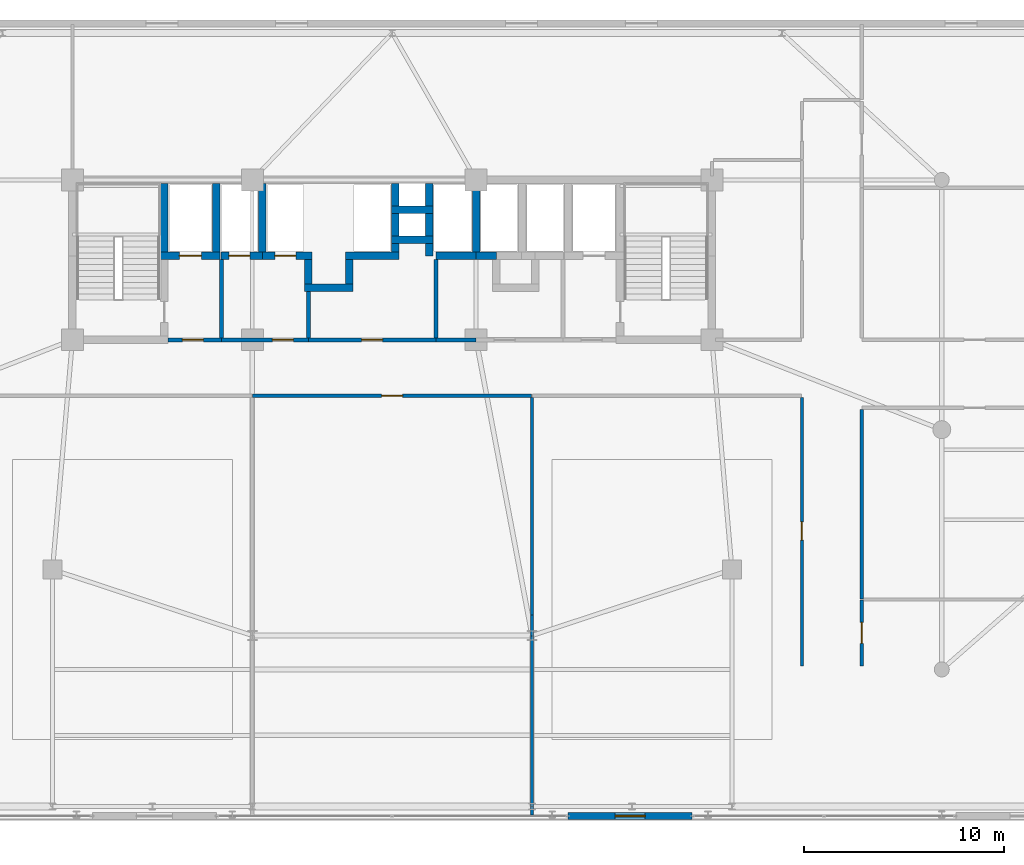
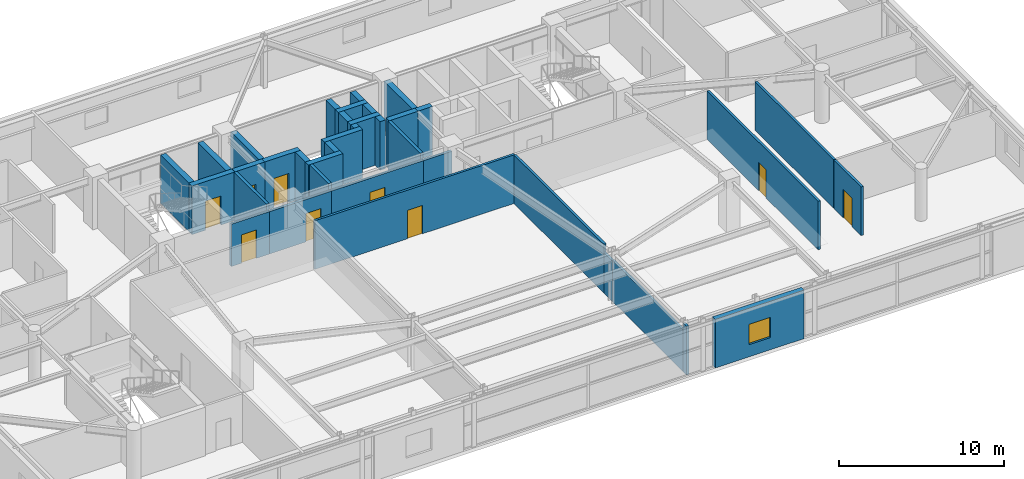
# One storey, part 21 of 26: 37 walls, 9 doors, 1 window, 10 openings.
"""IFC4 building model written with IfcOpenShell, lengths in metres."""

from ifc_helpers import new_model, si_unit, direction, frame, frame_2d, origin, place, context, subcontext, project, spatial, rectangle, extrude, source, transform, mapped, material, layer, layer_set, type_object, element, fill, save


model = new_model("IFC4")

# Units and contexts
model_context = context("Model", 3, precision=1e-05, world=origin(), true_north=direction((0.0, 1.0)))
body_context = subcontext(model_context, "Body", "Model", "MODEL_VIEW")
ifc_project = project(units=[si_unit("LENGTHUNIT", "METRE"), si_unit("AREAUNIT", "SQUARE_METRE"), si_unit("VOLUMEUNIT", "CUBIC_METRE"), si_unit("PLANEANGLEUNIT", "RADIAN"), si_unit("MASSUNIT", "GRAM", prefix="KILO")], contexts=[model_context])

# Site, building, storey
site_placement = place(None, origin())
site = spatial("IfcSite", under=ifc_project, at=site_placement, CompositionType="ELEMENT")
building_placement = place(site_placement, origin())
building = spatial("IfcBuilding", under=site, at=building_placement, Name="Taldren Reach Tower", CompositionType="ELEMENT")
storey_placement = place(building_placement, frame((0.0, 0.0, 4.550048828125)))
storey = spatial("IfcBuildingStorey", under=building, at=storey_placement, Name="L01", CompositionType="ELEMENT", Elevation=4.550048828125)

# Wall, opening, window
ifc_material_1 = material(Name="Pale Champagne Anodised Aluminium Cladding", Category="aluminium")
ifc_layer_1 = layer(ifc_material_1, 0.04, Name="Pale Champagne Anodised Aluminium Cladding", Category="aluminium")
ifc_material_2 = material(Name="Mineral Wool Thermal Insulation", Category="insulation")
ifc_layer_2 = layer(ifc_material_2, 0.08, Name="Mineral Wool Thermal Insulation", Category="insulation")
ifc_material_3 = material(Name="Concrete S50 (50 MPa)", Category="concrete")
ifc_layer_3 = layer(ifc_material_3, 0.22, Name="Concrete S50 (50 MPa)", Category="concrete")
ifc_layer_set_1 = layer_set([ifc_layer_1, ifc_layer_2, ifc_layer_3], Name="Pale Champagne Aluminium Cladding and Precast Concrete 50 MPa (S50)")
wall_type_1 = type_object("IfcWallType", Name="EW-POD-340", PredefinedType="SOLIDWALL", material=ifc_layer_set_1)
shared_shape_1 = source(origin(), body_context, "Body", "SweptSolid", [
    extrude(rectangle(XDim=6.199951171875, YDim=0.340087890625, at=frame_2d((3.10009765625, 0.0))), origin(), (0.0, 0.0, 1.0), 3.58984375),
])
wall_1_placement = place(storey_placement, frame((43.800048828125, 0.169921875, 0.0), z_axis=(0.0, 0.0, 1.0), x_axis=(1.0, 0.0, 0.0)))
wall_1 = element("IfcWall", 1, at=wall_1_placement, inside=storey, type_object=wall_type_1, Name="Podium south facade wall L01-S3", PredefinedType="SOLIDWALL", context=body_context, shape_type="MappedRepresentation", body=[
    mapped(shared_shape_1, transform((0.0, 0.0, 0.0), scale=1.0)),
])
shared_shape_2 = source(origin(), body_context, "Body", "SweptSolid", [
    extrude(rectangle(XDim=1.5, YDim=1.5, at=frame_2d((0.75, 0.75))), frame((0.0, 0.18017578125, 0.0), z_axis=(0.0, -1.0, 0.0), x_axis=(1.0, 0.0, 0.0)), (0.0, 0.0, 1.0), 0.360107421875),
])
opening_1_placement = place(wall_1_placement, frame((2.35009765625, 0.0, 0.89990234375)))
opening_1 = element("IfcOpeningElement", 2, at=opening_1_placement, cuts=wall_1, Name="Opening W-1515", PredefinedType="OPENING", context=body_context, shape_type="MappedRepresentation", body=[
    mapped(shared_shape_2, transform((0.0, 0.0, 0.0), scale=1.0)),
])
ifc_material_4 = material(Name="Thermally Broken Aluminium and Low-E IGU", Category="aluminium")
window_type = type_object("IfcWindowType", Name="WN-POD-1500", PartitioningType="SINGLE_PANEL", PredefinedType="WINDOW", material=ifc_material_4)
shared_shape_3 = source(origin(), body_context, "Body", "SweptSolid", [
    extrude(rectangle(XDim=1.5, YDim=1.5, at=frame_2d((0.75, 0.75))), frame((0.0, 0.030029296875, 0.0), z_axis=(0.0, -1.0, 0.0), x_axis=(1.0, 0.0, 0.0)), (0.0, 0.0, 1.0), 0.06005859375),
])
window_placement = place(opening_1_placement, origin())
window = element("IfcWindow", 3, at=window_placement, inside=storey, type_object=window_type, Name="Podium clinical window L01-S3", OverallHeight=1.5, OverallWidth=1.5, PartitioningType="SINGLE_PANEL", PredefinedType="WINDOW", context=body_context, shape_type="MappedRepresentation", body=[
    mapped(shared_shape_3, transform((0.0, 0.0, 0.0), scale=1.0)),
])
fill(opening_1, window)

# Walls
ifc_material_5 = material(Name="Concrete S80 (80 MPa)", Category="concrete")
ifc_layer_4 = layer(ifc_material_5, 0.3798828125)
ifc_layer_set_2 = layer_set([ifc_layer_4], Name="Concrete S80 (80 MPa)")
wall_type_2 = type_object("IfcWallType", Name="IW-CORE-380", PredefinedType="SHEAR", material=ifc_layer_set_2)
shared_shape_4 = source(origin(), body_context, "Body", "SweptSolid", [
    extrude(rectangle(XDim=3.420166015625, YDim=0.3798828125, at=frame_2d((1.7099609375, 0.0))), origin(), (0.0, 0.0, 1.0), 3.58984375),
])
for number, where, z_axis, x_axis, name in (
    (4, (23.60009765625, 28.389892578125, 0.0), (0.0, 0.0, 1.0), (0.0, 1.0, 0.0), "Rear Core Shear Wall W-INT-L01-001"),
    (5, (26.199951171875, 28.389892578125, 0.0), (0.0, 0.0, 1.0), (0.0, 1.0, 0.0), "Rear Core Shear Wall W-INT-L01-005"),
    (6, (28.5, 28.389892578125, 0.0), (0.0, 0.0, 1.0), (0.0, 1.0, 0.0), "Rear Core Shear Wall W-INT-L01-029"),
    (7, (39.199951171875, 28.389892578125, 0.0), (0.0, 0.0, 1.0), (0.0, 1.0, 0.0), "Rear Core Shear Wall W-INT-L01-036"),
):
    element("IfcWall", number, at=place(storey_placement, frame(where, z_axis=z_axis, x_axis=x_axis)), inside=storey, type_object=wall_type_2, Name=name, PredefinedType="SHEAR", context=body_context, shape_type="MappedRepresentation", body=[
        mapped(shared_shape_4, transform((0.0, 0.0, 0.0), scale=1.0)),
    ])

# Wall, opening, door
shared_shape_5 = source(origin(), body_context, "Body", "SweptSolid", [
    extrude(rectangle(XDim=2.97998046875, YDim=0.3798828125, at=frame_2d((1.489990234375, 0.0))), origin(), (0.0, 0.0, 1.0), 3.58984375),
])
wall_2_placement = place(storey_placement, frame((23.409912109375, 28.199951171875, 0.0), z_axis=(0.0, 0.0, 1.0), x_axis=(1.0, 0.0, 0.0)))
wall_2 = element("IfcWall", 8, at=wall_2_placement, inside=storey, type_object=wall_type_2, Name="Rear Core Shear Wall W-INT-L01-004", PredefinedType="SHEAR", context=body_context, shape_type="MappedRepresentation", body=[
    mapped(shared_shape_5, transform((0.0, 0.0, 0.0), scale=1.0)),
])
shared_shape_6 = source(origin(), body_context, "Body", "SweptSolid", [
    extrude(rectangle(XDim=1.10009765625, YDim=2.14990234375, at=frame_2d((0.550048828125, 1.074951171875))), frame((0.0, 0.199951171875, 0.0), z_axis=(0.0, -1.0, 0.0), x_axis=(1.0, 0.0, 0.0)), (0.0, 0.0, 1.0), 0.39990234375),
])
opening_2_placement = place(wall_2_placement, frame((0.93994140625, 0.0, 0.0)))
opening_2 = element("IfcOpeningElement", 9, at=opening_2_placement, cuts=wall_2, Name="Opening LD-FL1", PredefinedType="OPENING", context=body_context, shape_type="MappedRepresentation", body=[
    mapped(shared_shape_6, transform((0.0, 0.0, 0.0), scale=1.0)),
])
ifc_material_6 = material(Name="Stainless Steel Gr 316 Emergency Lift Landing Door", Category="steel")
door_type_1 = type_object("IfcDoorType", Name="LD-EMG-110", OperationType="SLIDING_TO_LEFT", PredefinedType="DOOR", material=ifc_material_6)
shared_shape_7 = source(origin(), body_context, "Body", "SweptSolid", [
    extrude(rectangle(XDim=1.10009765625, YDim=2.14990234375, at=frame_2d((0.550048828125, 1.074951171875))), frame((0.0, 0.02490234375, 0.0), z_axis=(0.0, -1.0, 0.0), x_axis=(1.0, 0.0, 0.0)), (0.0, 0.0, 1.0), 0.050048828125),
])
door_1_placement = place(opening_2_placement, origin())
door_1 = element("IfcDoor", 10, at=door_1_placement, inside=storey, type_object=door_type_1, Name="Lift Landing Door LD-FL1-L01", OperationType="SLIDING_TO_LEFT", OverallHeight=2.14990234375, OverallWidth=1.10009765625, PredefinedType="DOOR", context=body_context, shape_type="MappedRepresentation", body=[
    mapped(shared_shape_7, transform((0.0, 0.0, 0.0), scale=1.0)),
])
fill(opening_2, door_1)

# Walls
ifc_layer_5 = layer(ifc_material_3, 0.199951171875)
ifc_layer_set_3 = layer_set([ifc_layer_5], Name="Concrete S50 (50 MPa)")
wall_type_3 = type_object("IfcWallType", Name="IW-CORE-200", PredefinedType="SOLIDWALL", material=ifc_layer_set_3)
shared_shape_8 = source(origin(), body_context, "Body", "SweptSolid", [
    extrude(rectangle(XDim=3.909912109375, YDim=0.199951171875, at=frame_2d((1.955078125, 0.0))), origin(), (0.0, 0.0, 1.0), 3.58984375),
])
for number, where, z_axis, x_axis, name in (
    (11, (26.449951171875, 24.10009765625, 0.0), (0.0, 0.0, 1.0), (0.0, 1.0, 0.0), "Rear Core Shear Wall W-INT-L01-006"),
    (12, (37.199951171875, 28.010009765625, 0.0), (0.0, 0.0, 1.0), (0.0, -1.0, 0.0), "Rear Core Shear Wall W-INT-L01-042"),
):
    element("IfcWall", number, at=place(storey_placement, frame(where, z_axis=z_axis, x_axis=x_axis)), inside=storey, type_object=wall_type_3, Name=name, PredefinedType="SOLIDWALL", context=body_context, shape_type="MappedRepresentation", body=[
        mapped(shared_shape_8, transform((0.0, 0.0, 0.0), scale=1.0)),
    ])

# Wall, opening, door
shared_shape_9 = source(origin(), body_context, "Body", "SweptSolid", [
    extrude(rectangle(XDim=2.659912109375, YDim=0.199951171875, at=frame_2d((1.330078125, 0.0))), origin(), (0.0, 0.0, 1.0), 3.1298828125),
])
wall_3_placement = place(storey_placement, frame((23.7900390625, 24.0, 0.0), z_axis=(0.0, 0.0, 1.0), x_axis=(1.0, 0.0, 0.0)))
wall_3 = element("IfcWall", 13, at=wall_3_placement, inside=storey, type_object=wall_type_3, Name="Rear Core Shear Wall W-INT-L01-007", PredefinedType="SOLIDWALL", context=body_context, shape_type="MappedRepresentation", body=[
    mapped(shared_shape_9, transform((0.0, 0.0, 0.0), scale=1.0)),
])
shared_shape_10 = source(origin(), body_context, "Body", "SweptSolid", [
    extrude(rectangle(XDim=1.050048828125, YDim=2.10009765625, at=frame_2d((0.52490234375, 1.050048828125))), frame((0.0, 0.10986328125, 0.0), z_axis=(0.0, -1.0, 0.0), x_axis=(1.0, 0.0, 0.0)), (0.0, 0.0, 1.0), 0.219970703125),
])
opening_3_placement = place(wall_3_placement, frame((0.7099609375, 0.0, 0.0)))
opening_3 = element("IfcOpeningElement", 14, at=opening_3_placement, cuts=wall_3, Name="Opening DF-105", PredefinedType="OPENING", context=body_context, shape_type="MappedRepresentation", body=[
    mapped(shared_shape_10, transform((0.0, 0.0, 0.0), scale=1.0)),
])
ifc_material_7 = material(Name="Fire-Rated Care and Stair Exit Door")
door_type_2 = type_object("IfcDoorType", Name="ID-FIRE-105", OperationType="NOTDEFINED", PredefinedType="DOOR", material=ifc_material_7)
shared_shape_11 = source(origin(), body_context, "Body", "SweptSolid", [
    extrude(rectangle(XDim=1.050048828125, YDim=2.10009765625, at=frame_2d((0.52490234375, 1.050048828125))), frame((0.0, 0.02490234375, 0.0), z_axis=(0.0, -1.0, 0.0), x_axis=(1.0, 0.0, 0.0)), (0.0, 0.0, 1.0), 0.050048828125),
])
door_2_placement = place(opening_3_placement, origin())
door_2 = element("IfcDoor", 15, at=door_2_placement, inside=storey, type_object=door_type_2, Name="Interior Door DR-L01-002", OperationType="SINGLE_SWING_LEFT", OverallHeight=2.10009765625, OverallWidth=1.050048828125, PredefinedType="DOOR", context=body_context, shape_type="MappedRepresentation", body=[
    mapped(shared_shape_11, transform((0.0, 0.0, 0.0), scale=1.0)),
])
fill(opening_3, door_2)

# Walls
shared_shape_12 = source(origin(), body_context, "Body", "SweptSolid", [
    extrude(rectangle(XDim=2.080078125, YDim=0.3798828125, at=frame_2d((1.0400390625, 0.0))), origin(), (0.0, 0.0, 1.0), 3.58984375),
])
for number, where, z_axis, x_axis, name in (
    (16, (34.9599609375, 30.5, 0.0), (0.0, 0.0, 1.0), (1.0, 0.0, 0.0), "Rear Core Shear Wall W-INT-L01-015"),
    (17, (34.9599609375, 29.0, 0.0), (0.0, 0.0, 1.0), (1.0, 0.0, 0.0), "Rear Core Shear Wall W-INT-L01-020"),
):
    element("IfcWall", number, at=place(storey_placement, frame(where, z_axis=z_axis, x_axis=x_axis)), inside=storey, type_object=wall_type_2, Name=name, PredefinedType="SHEAR", context=body_context, shape_type="MappedRepresentation", body=[
        mapped(shared_shape_12, transform((0.0, 0.0, 0.0), scale=1.0)),
    ])
shared_shape_13 = source(origin(), body_context, "Body", "SweptSolid", [
    extrude(rectangle(XDim=1.1201171875, YDim=0.3798828125, at=frame_2d((0.56005859375, 0.0))), origin(), (0.0, 0.0, 1.0), 3.58984375),
])
for number, where, z_axis, x_axis, name in (
    (18, (35.14990234375, 31.81005859375, 0.0), (0.0, 0.0, 1.0), (0.0, -1.0, 0.0), "Rear Core Shear Wall W-INT-L01-016"),
    (19, (36.85009765625, 30.68994140625, 0.0), (0.0, 0.0, 1.0), (0.0, 1.0, 0.0), "Rear Core Shear Wall W-INT-L01-017"),
    (20, (35.14990234375, 30.31005859375, 0.0), (0.0, 0.0, 1.0), (0.0, -1.0, 0.0), "Rear Core Shear Wall W-INT-L01-018"),
    (21, (36.85009765625, 29.18994140625, 0.0), (0.0, 0.0, 1.0), (0.0, 1.0, 0.0), "Rear Core Shear Wall W-INT-L01-019"),
):
    element("IfcWall", number, at=place(storey_placement, frame(where, z_axis=z_axis, x_axis=x_axis)), inside=storey, type_object=wall_type_2, Name=name, PredefinedType="SHEAR", context=body_context, shape_type="MappedRepresentation", body=[
        mapped(shared_shape_13, transform((0.0, 0.0, 0.0), scale=1.0)),
    ])
shared_shape_14 = source(origin(), body_context, "Body", "SweptSolid", [
    extrude(rectangle(XDim=1.219970703125, YDim=0.3798828125, at=frame_2d((0.60986328125, 0.0))), origin(), (0.0, 0.0, 1.0), 3.58984375),
])
for number, where, z_axis, x_axis, name in (
    (22, (30.800048828125, 28.010009765625, 0.0), (0.0, 0.0, 1.0), (0.0, -1.0, 0.0), "Rear Core Shear Wall W-INT-L01-021"),
    (23, (32.85009765625, 26.7900390625, 0.0), (0.0, 0.0, 1.0), (0.0, 1.0, 0.0), "Rear Core Shear Wall W-INT-L01-023"),
):
    element("IfcWall", number, at=place(storey_placement, frame(where, z_axis=z_axis, x_axis=x_axis)), inside=storey, type_object=wall_type_2, Name=name, PredefinedType="SHEAR", context=body_context, shape_type="MappedRepresentation", body=[
        mapped(shared_shape_14, transform((0.0, 0.0, 0.0), scale=1.0)),
    ])
shared_shape_15 = source(origin(), body_context, "Body", "SweptSolid", [
    extrude(rectangle(XDim=2.429931640625, YDim=0.3798828125, at=frame_2d((1.21484375, 0.0))), origin(), (0.0, 0.0, 1.0), 3.58984375),
])
wall_4_placement = place(storey_placement, frame((30.610107421875, 26.60009765625, 0.0), z_axis=(0.0, 0.0, 1.0), x_axis=(1.0, 0.0, 0.0)))
element("IfcWall", 24, at=wall_4_placement, inside=storey, type_object=wall_type_2, Name="Rear Core Shear Wall W-INT-L01-022", PredefinedType="SHEAR", context=body_context, shape_type="MappedRepresentation", body=[
    mapped(shared_shape_15, transform((0.0, 0.0, 0.0), scale=1.0)),
])

# Wall, opening, door
shared_shape_16 = source(origin(), body_context, "Body", "SweptSolid", [
    extrude(rectangle(XDim=2.070068359375, YDim=0.3798828125, at=frame_2d((1.03515625, 0.0))), origin(), (0.0, 0.0, 1.0), 3.58984375),
])
wall_5_placement = place(storey_placement, frame((26.429931640625, 28.199951171875, 0.0), z_axis=(0.0, 0.0, 1.0), x_axis=(1.0, 0.0, 0.0)))
wall_5 = element("IfcWall", 25, at=wall_5_placement, inside=storey, type_object=wall_type_2, Name="Rear Core Shear Wall W-INT-L01-030", PredefinedType="SHEAR", context=body_context, shape_type="MappedRepresentation", body=[
    mapped(shared_shape_16, transform((0.0, 0.0, 0.0), scale=1.0)),
])
shared_shape_17 = source(origin(), body_context, "Body", "SweptSolid", [
    extrude(rectangle(XDim=1.050048828125, YDim=2.14990234375, at=frame_2d((0.52490234375, 1.074951171875))), frame((0.0, 0.199951171875, 0.0), z_axis=(0.0, -1.0, 0.0), x_axis=(1.0, 0.0, 0.0)), (0.0, 0.0, 1.0), 0.39990234375),
])
opening_4_placement = place(wall_5_placement, frame((0.39501953125, 0.0, 0.0)))
opening_4 = element("IfcOpeningElement", 26, at=opening_4_placement, cuts=wall_5, Name="Opening LD-PL1", PredefinedType="OPENING", context=body_context, shape_type="MappedRepresentation", body=[
    mapped(shared_shape_17, transform((0.0, 0.0, 0.0), scale=1.0)),
])
ifc_material_8 = material(Name="Stainless Steel Gr 316 Passenger Lift Landing Door", Category="steel")
door_type_3 = type_object("IfcDoorType", Name="LD-PAS-105", OperationType="SLIDING_TO_LEFT", PredefinedType="DOOR", material=ifc_material_8)
shared_shape_18 = source(origin(), body_context, "Body", "SweptSolid", [
    extrude(rectangle(XDim=1.050048828125, YDim=2.14990234375, at=frame_2d((0.52490234375, 1.074951171875))), frame((0.0, 0.02490234375, 0.0), z_axis=(0.0, -1.0, 0.0), x_axis=(1.0, 0.0, 0.0)), (0.0, 0.0, 1.0), 0.050048828125),
])
door_3_placement = place(opening_4_placement, origin())
door_3 = element("IfcDoor", 27, at=door_3_placement, inside=storey, type_object=door_type_3, Name="Lift Landing Door LD-PL1-L01", OperationType="SLIDING_TO_LEFT", OverallHeight=2.14990234375, OverallWidth=1.050048828125, PredefinedType="DOOR", context=body_context, shape_type="MappedRepresentation", body=[
    mapped(shared_shape_18, transform((0.0, 0.0, 0.0), scale=1.0)),
])
fill(opening_4, door_3)

shared_shape_19 = source(origin(), body_context, "Body", "SweptSolid", [
    extrude(rectangle(XDim=2.489990234375, YDim=0.3798828125, at=frame_2d((1.2451171875, 0.0))), origin(), (0.0, 0.0, 1.0), 3.58984375),
])
wall_6_placement = place(storey_placement, frame((28.5, 28.199951171875, 0.0), z_axis=(0.0, 0.0, 1.0), x_axis=(1.0, 0.0, 0.0)))
wall_6 = element("IfcWall", 28, at=wall_6_placement, inside=storey, type_object=wall_type_2, Name="Rear Core Shear Wall W-INT-L01-031", PredefinedType="SHEAR", context=body_context, shape_type="MappedRepresentation", body=[
    mapped(shared_shape_19, transform((0.0, 0.0, 0.0), scale=1.0)),
])
opening_5_placement = place(wall_6_placement, frame((0.625, 0.0, 0.0)))
opening_5 = element("IfcOpeningElement", 29, at=opening_5_placement, cuts=wall_6, Name="Opening LD-PL2", PredefinedType="OPENING", context=body_context, shape_type="MappedRepresentation", body=[
    mapped(shared_shape_17, transform((0.0, 0.0, 0.0), scale=1.0)),
])
door_4_placement = place(opening_5_placement, origin())
door_4 = element("IfcDoor", 30, at=door_4_placement, inside=storey, type_object=door_type_3, Name="Lift Landing Door LD-PL2-L01", OperationType="SLIDING_TO_LEFT", OverallHeight=2.14990234375, OverallWidth=1.050048828125, PredefinedType="DOOR", context=body_context, shape_type="MappedRepresentation", body=[
    mapped(shared_shape_18, transform((0.0, 0.0, 0.0), scale=1.0)),
])
fill(opening_5, door_4)

# Wall
shared_shape_20 = source(origin(), body_context, "Body", "SweptSolid", [
    extrude(rectangle(XDim=2.309814453125, YDim=0.199951171875, at=frame_2d((1.15478515625, 0.0))), origin(), (0.0, 0.0, 1.0), 3.58984375),
])
wall_7_placement = place(storey_placement, frame((30.800048828125, 26.409912109375, 0.0), z_axis=(0.0, 0.0, 1.0), x_axis=(0.0, -1.0, 0.0)))
element("IfcWall", 31, at=wall_7_placement, inside=storey, type_object=wall_type_3, Name="Rear Core Shear Wall W-INT-L01-032", PredefinedType="SOLIDWALL", context=body_context, shape_type="MappedRepresentation", body=[
    mapped(shared_shape_20, transform((0.0, 0.0, 0.0), scale=1.0)),
])

# Wall, opening, door
shared_shape_21 = source(origin(), body_context, "Body", "SweptSolid", [
    extrude(rectangle(XDim=4.35009765625, YDim=0.199951171875, at=frame_2d((2.175048828125, 0.0))), origin(), (0.0, 0.0, 1.0), 3.1298828125),
])
wall_8_placement = place(storey_placement, frame((30.800048828125, 24.0, 0.0), z_axis=(0.0, 0.0, 1.0), x_axis=(-1.0, 0.0, 0.0)))
wall_8 = element("IfcWall", 32, at=wall_8_placement, inside=storey, type_object=wall_type_3, Name="Rear Core Shear Wall W-INT-L01-033", PredefinedType="SOLIDWALL", context=body_context, shape_type="MappedRepresentation", body=[
    mapped(shared_shape_21, transform((0.0, 0.0, 0.0), scale=1.0)),
])
opening_6_placement = place(wall_8_placement, frame((0.75, 0.0, 0.0)))
opening_6 = element("IfcOpeningElement", 33, at=opening_6_placement, cuts=wall_8, Name="Opening DF-105", PredefinedType="OPENING", context=body_context, shape_type="MappedRepresentation", body=[
    mapped(shared_shape_10, transform((0.0, 0.0, 0.0), scale=1.0)),
])
door_5_placement = place(opening_6_placement, frame((1.050048828125, 0.0, 0.0), z_axis=(0.0, 0.0, 1.0), x_axis=(-1.0, 0.0, 0.0)))
door_5 = element("IfcDoor", 34, at=door_5_placement, inside=storey, type_object=door_type_2, Name="Interior Door DR-L01-005", OperationType="SINGLE_SWING_RIGHT", OverallHeight=2.10009765625, OverallWidth=1.050048828125, PredefinedType="DOOR", context=body_context, shape_type="MappedRepresentation", body=[
    mapped(shared_shape_11, transform((0.0, 0.0, 0.0), scale=1.0)),
])
fill(opening_6, door_5)

# Walls
shared_shape_22 = source(origin(), body_context, "Body", "SweptSolid", [
    extrude(rectangle(XDim=2.68017578125, YDim=0.3798828125, at=frame_2d((1.340087890625, 0.0))), origin(), (0.0, 0.0, 1.0), 3.58984375),
])
wall_9_placement = place(storey_placement, frame((32.659912109375, 28.199951171875, 0.0), z_axis=(0.0, 0.0, 1.0), x_axis=(1.0, 0.0, 0.0)))
element("IfcWall", 35, at=wall_9_placement, inside=storey, type_object=wall_type_2, Name="Rear Core Shear Wall W-INT-L01-034", PredefinedType="SHEAR", context=body_context, shape_type="MappedRepresentation", body=[
    mapped(shared_shape_22, transform((0.0, 0.0, 0.0), scale=1.0)),
])
shared_shape_23 = source(origin(), body_context, "Body", "SweptSolid", [
    extrude(rectangle(XDim=0.420166015625, YDim=0.3798828125, at=frame_2d((0.2099609375, 0.0))), origin(), (0.0, 0.0, 1.0), 3.58984375),
])
wall_10_placement = place(storey_placement, frame((35.14990234375, 28.389892578125, 0.0), z_axis=(0.0, 0.0, 1.0), x_axis=(0.0, 1.0, 0.0)))
element("IfcWall", 36, at=wall_10_placement, inside=storey, type_object=wall_type_2, Name="Rear Core Shear Wall W-INT-L01-035", PredefinedType="SHEAR", context=body_context, shape_type="MappedRepresentation", body=[
    mapped(shared_shape_23, transform((0.0, 0.0, 0.0), scale=1.0)),
])
shared_shape_24 = source(origin(), body_context, "Body", "SweptSolid", [
    extrude(rectangle(XDim=0.610107421875, YDim=0.3798828125, at=frame_2d((0.30517578125, 0.0))), origin(), (0.0, 0.0, 1.0), 3.58984375),
])
wall_11_placement = place(storey_placement, frame((36.85009765625, 28.81005859375, 0.0), z_axis=(0.0, 0.0, 1.0), x_axis=(0.0, -1.0, 0.0)))
element("IfcWall", 37, at=wall_11_placement, inside=storey, type_object=wall_type_2, Name="Rear Core Shear Wall W-INT-L01-037", PredefinedType="SHEAR", context=body_context, shape_type="MappedRepresentation", body=[
    mapped(shared_shape_24, transform((0.0, 0.0, 0.0), scale=1.0)),
])
shared_shape_25 = source(origin(), body_context, "Body", "SweptSolid", [
    extrude(rectangle(XDim=2.02001953125, YDim=0.3798828125, at=frame_2d((1.010009765625, 0.0))), origin(), (0.0, 0.0, 1.0), 3.58984375),
])
wall_12_placement = place(storey_placement, frame((37.179931640625, 28.199951171875, 0.0), z_axis=(0.0, 0.0, 1.0), x_axis=(1.0, 0.0, 0.0)))
element("IfcWall", 38, at=wall_12_placement, inside=storey, type_object=wall_type_2, Name="Rear Core Shear Wall W-INT-L01-038", PredefinedType="SHEAR", context=body_context, shape_type="MappedRepresentation", body=[
    mapped(shared_shape_25, transform((0.0, 0.0, 0.0), scale=1.0)),
])
shared_shape_26 = source(origin(), body_context, "Body", "SweptSolid", [
    extrude(rectangle(XDim=1.02001953125, YDim=0.3798828125, at=frame_2d((0.510009765625, 0.0))), origin(), (0.0, 0.0, 1.0), 3.58984375),
])
wall_13_placement = place(storey_placement, frame((39.199951171875, 28.199951171875, 0.0), z_axis=(0.0, 0.0, 1.0), x_axis=(1.0, 0.0, 0.0)))
element("IfcWall", 39, at=wall_13_placement, inside=storey, type_object=wall_type_2, Name="Rear Core Shear Wall W-INT-L01-040", PredefinedType="SHEAR", context=body_context, shape_type="MappedRepresentation", body=[
    mapped(shared_shape_26, transform((0.0, 0.0, 0.0), scale=1.0)),
])

# Wall, opening, door
shared_shape_27 = source(origin(), body_context, "Body", "SweptSolid", [
    extrude(rectangle(XDim=6.39990234375, YDim=0.199951171875, at=frame_2d((3.199951171875, 0.0))), origin(), (0.0, 0.0, 1.0), 3.1298828125),
])
wall_14_placement = place(storey_placement, frame((37.199951171875, 24.0, 0.0), z_axis=(0.0, 0.0, 1.0), x_axis=(-1.0, 0.0, 0.0)))
wall_14 = element("IfcWall", 40, at=wall_14_placement, inside=storey, type_object=wall_type_3, Name="Rear Core Shear Wall W-INT-L01-043", PredefinedType="SOLIDWALL", context=body_context, shape_type="MappedRepresentation", body=[
    mapped(shared_shape_27, transform((0.0, 0.0, 0.0), scale=1.0)),
])
opening_7_placement = place(wall_14_placement, frame((2.675048828125, 0.0, 0.0)))
opening_7 = element("IfcOpeningElement", 41, at=opening_7_placement, cuts=wall_14, Name="Opening DF-105", PredefinedType="OPENING", context=body_context, shape_type="MappedRepresentation", body=[
    mapped(shared_shape_10, transform((0.0, 0.0, 0.0), scale=1.0)),
])
door_6_placement = place(opening_7_placement, frame((1.050048828125, 0.0, 0.0), z_axis=(0.0, 0.0, 1.0), x_axis=(-1.0, 0.0, 0.0)))
door_6 = element("IfcDoor", 42, at=door_6_placement, inside=storey, type_object=door_type_2, Name="Interior Door DR-L01-006", OperationType="SINGLE_SWING_RIGHT", OverallHeight=2.10009765625, OverallWidth=1.050048828125, PredefinedType="DOOR", context=body_context, shape_type="MappedRepresentation", body=[
    mapped(shared_shape_11, transform((0.0, 0.0, 0.0), scale=1.0)),
])
fill(opening_7, door_6)

# Wall
shared_shape_28 = source(origin(), body_context, "Body", "SweptSolid", [
    extrude(rectangle(XDim=2.0, YDim=0.199951171875, at=frame_2d((1.0, 0.0))), origin(), (0.0, 0.0, 1.0), 3.1298828125),
])
wall_15_placement = place(storey_placement, frame((39.199951171875, 24.0, 0.0), z_axis=(0.0, 0.0, 1.0), x_axis=(-1.0, 0.0, 0.0)))
element("IfcWall", 43, at=wall_15_placement, inside=storey, type_object=wall_type_3, Name="Rear Core Shear Wall W-INT-L01-044 part 2", PredefinedType="SOLIDWALL", context=body_context, shape_type="MappedRepresentation", body=[
    mapped(shared_shape_28, transform((0.0, 0.0, 0.0), scale=1.0)),
])

# Wall, opening, door
ifc_material_9 = material(Name="Fire-Rated Acoustic Plasterboard Stud Wall", Category="gypsum")
ifc_layer_6 = layer(ifc_material_9, 0.159912109375)
ifc_layer_set_4 = layer_set([ifc_layer_6], Name="Fire-Rated Acoustic Plasterboard Stud Wall")
wall_type_4 = type_object("IfcWallType", Name="IW-FIRE-160", PredefinedType="PARTITIONING", material=ifc_layer_set_4)
shared_shape_29 = source(origin(), body_context, "Body", "SweptSolid", [
    extrude(rectangle(XDim=13.440185546875, YDim=0.159912109375, at=frame_2d((6.72021484375, 0.0))), origin(), (0.0, 0.0, 1.0), 3.58984375),
])
wall_16_placement = place(storey_placement, frame((55.5, 7.679931640625, 0.0), z_axis=(0.0, 0.0, 1.0), x_axis=(0.0, 1.0, 0.0)))
wall_16 = element("IfcWall", 44, at=wall_16_placement, inside=storey, type_object=wall_type_4, Name="Interior Partition Wall W-INT-L01-053", PredefinedType="PARTITIONING", context=body_context, shape_type="MappedRepresentation", body=[
    mapped(shared_shape_29, transform((0.0, 0.0, 0.0), scale=1.0)),
])
shared_shape_30 = source(origin(), body_context, "Body", "SweptSolid", [
    extrude(rectangle(XDim=0.919921875, YDim=2.10009765625, at=frame_2d((0.4599609375, 1.050048828125))), frame((0.0, 0.08984375, 0.0), z_axis=(0.0, -1.0, 0.0), x_axis=(1.0, 0.0, 0.0)), (0.0, 0.0, 1.0), 0.179931640625),
])
opening_8_placement = place(wall_16_placement, frame((6.289794921875, 0.0, 0.0)))
opening_8 = element("IfcOpeningElement", 45, at=opening_8_placement, cuts=wall_16, Name="Opening DI-092", PredefinedType="OPENING", context=body_context, shape_type="MappedRepresentation", body=[
    mapped(shared_shape_30, transform((0.0, 0.0, 0.0), scale=1.0)),
])
ifc_material_10 = material(Name="Solid-Core Timber Suite Door", Category="wood")
door_type_4 = type_object("IfcDoorType", Name="ID-INT-092", OperationType="NOTDEFINED", PredefinedType="DOOR", material=ifc_material_10)
shared_shape_31 = source(origin(), body_context, "Body", "SweptSolid", [
    extrude(rectangle(XDim=0.919921875, YDim=2.10009765625, at=frame_2d((0.4599609375, 1.050048828125))), frame((0.0, 0.02490234375, 0.0), z_axis=(0.0, -1.0, 0.0), x_axis=(1.0, 0.0, 0.0)), (0.0, 0.0, 1.0), 0.050048828125),
])
door_7_placement = place(opening_8_placement, origin())
door_7 = element("IfcDoor", 46, at=door_7_placement, inside=storey, type_object=door_type_4, Name="Interior Door DR-L01-011", OperationType="SINGLE_SWING_RIGHT", OverallHeight=2.10009765625, OverallWidth=0.919921875, PredefinedType="DOOR", context=body_context, shape_type="MappedRepresentation", body=[
    mapped(shared_shape_31, transform((0.0, 0.0, 0.0), scale=1.0)),
])
fill(opening_8, door_7)

shared_shape_32 = source(origin(), body_context, "Body", "SweptSolid", [
    extrude(rectangle(XDim=13.95947265625, YDim=0.159912109375, at=frame_2d((6.979736328125, 0.0))), origin(), (0.0, 0.0, 1.0), 3.58984375),
])
wall_17_placement = place(storey_placement, frame((41.979736328125, 21.199951171875, 0.0), z_axis=(0.0, 0.0, 1.0), x_axis=(-1.0, 0.0, 0.0)))
wall_17 = element("IfcWall", 47, at=wall_17_placement, inside=storey, type_object=wall_type_4, Name="Interior Partition Wall W-INT-L01-052", PredefinedType="PARTITIONING", context=body_context, shape_type="MappedRepresentation", body=[
    mapped(shared_shape_32, transform((0.0, 0.0, 0.0), scale=1.0)),
])
shared_shape_33 = source(origin(), body_context, "Body", "SweptSolid", [
    extrude(rectangle(XDim=1.050048828125, YDim=2.10009765625, at=frame_2d((0.52490234375, 1.050048828125))), frame((0.0, 0.08984375, 0.0), z_axis=(0.0, -1.0, 0.0), x_axis=(1.0, 0.0, 0.0)), (0.0, 0.0, 1.0), 0.179931640625),
])
opening_9_placement = place(wall_17_placement, frame((6.454833984375, 0.0, 0.0)))
opening_9 = element("IfcOpeningElement", 48, at=opening_9_placement, cuts=wall_17, Name="Opening DF-105", PredefinedType="OPENING", context=body_context, shape_type="MappedRepresentation", body=[
    mapped(shared_shape_33, transform((0.0, 0.0, 0.0), scale=1.0)),
])
door_8_placement = place(opening_9_placement, origin())
door_8 = element("IfcDoor", 49, at=door_8_placement, inside=storey, type_object=door_type_2, Name="Interior Door DR-L01-010", OperationType="SINGLE_SWING_LEFT", OverallHeight=2.10009765625, OverallWidth=1.050048828125, PredefinedType="DOOR", context=body_context, shape_type="MappedRepresentation", body=[
    mapped(shared_shape_11, transform((0.0, 0.0, 0.0), scale=1.0)),
])
fill(opening_9, door_8)

shared_shape_34 = source(origin(), body_context, "Body", "SweptSolid", [
    extrude(rectangle(XDim=3.2998046875, YDim=0.159912109375, at=frame_2d((1.64990234375, 0.0))), origin(), (0.0, 0.0, 1.0), 3.58984375),
])
wall_18_placement = place(storey_placement, frame((58.5, 10.979736328125, 0.0), z_axis=(0.0, 0.0, 1.0), x_axis=(0.0, -1.0, 0.0)))
wall_18 = element("IfcWall", 50, at=wall_18_placement, inside=storey, type_object=wall_type_4, Name="Interior Partition Wall W-INT-L01-064", PredefinedType="PARTITIONING", context=body_context, shape_type="MappedRepresentation", body=[
    mapped(shared_shape_34, transform((0.0, 0.0, 0.0), scale=1.0)),
])
opening_10_placement = place(wall_18_placement, frame((1.125, 0.0, 0.0)))
opening_10 = element("IfcOpeningElement", 51, at=opening_10_placement, cuts=wall_18, Name="Opening DF-105", PredefinedType="OPENING", context=body_context, shape_type="MappedRepresentation", body=[
    mapped(shared_shape_33, transform((0.0, 0.0, 0.0), scale=1.0)),
])
door_9_placement = place(opening_10_placement, origin())
door_9 = element("IfcDoor", 52, at=door_9_placement, inside=storey, type_object=door_type_2, Name="Interior Door DR-L01-016", OperationType="SINGLE_SWING_LEFT", OverallHeight=2.10009765625, OverallWidth=1.050048828125, PredefinedType="DOOR", context=body_context, shape_type="MappedRepresentation", body=[
    mapped(shared_shape_11, transform((0.0, 0.0, 0.0), scale=1.0)),
])
fill(opening_10, door_9)

# Walls
shared_shape_35 = source(origin(), body_context, "Body", "SweptSolid", [
    extrude(rectangle(XDim=9.499755859375, YDim=0.159912109375, at=frame_2d((4.75, 0.0))), origin(), (0.0, 0.0, 1.0), 3.58984375),
])
wall_19_placement = place(storey_placement, frame((58.5, 20.52001953125, 0.0), z_axis=(0.0, 0.0, 1.0), x_axis=(0.0, -1.0, 0.0)))
element("IfcWall", 53, at=wall_19_placement, inside=storey, type_object=wall_type_4, Name="Interior Partition Wall W-INT-L01-066", PredefinedType="PARTITIONING", context=body_context, shape_type="MappedRepresentation", body=[
    mapped(shared_shape_35, transform((0.0, 0.0, 0.0), scale=1.0)),
])
shared_shape_36 = source(origin(), body_context, "Body", "SweptSolid", [
    extrude(rectangle(XDim=0.419921875, YDim=0.159912109375, at=frame_2d((0.2099609375, 0.0))), origin(), (0.0, 0.0, 1.0), 3.58984375),
])
wall_20_placement = place(storey_placement, frame((42.0, 0.64990234375, 0.0), z_axis=(0.0, 0.0, 1.0), x_axis=(0.0, -1.0, 0.0)))
element("IfcWall", 54, at=wall_20_placement, inside=storey, type_object=wall_type_4, Name="Interior Partition Wall W-INT-L01-076 part 4", PredefinedType="PARTITIONING", context=body_context, shape_type="MappedRepresentation", body=[
    mapped(shared_shape_36, transform((0.0, 0.0, 0.0), scale=1.0)),
])
shared_shape_37 = source(origin(), body_context, "Body", "SweptSolid", [
    extrude(rectangle(XDim=10.884033203125, YDim=0.159912109375, at=frame_2d((5.44189453125, 0.0))), origin(), (0.0, 0.0, 1.0), 3.58984375),
])
wall_21_placement = place(storey_placement, frame((42.0, 21.1201171875, 0.0), z_axis=(0.0, 0.0, 1.0), x_axis=(0.0, -1.0, 0.0)))
element("IfcWall", 55, at=wall_21_placement, inside=storey, type_object=wall_type_4, Name="Interior Partition Wall W-INT-L01-076", PredefinedType="PARTITIONING", context=body_context, shape_type="MappedRepresentation", body=[
    mapped(shared_shape_37, transform((0.0, 0.0, 0.0), scale=1.0)),
])
shared_shape_38 = source(origin(), body_context, "Body", "SweptSolid", [
    extrude(rectangle(XDim=1.05126953125, YDim=0.159912109375, at=frame_2d((0.525634765625, 0.0))), origin(), (0.0, 0.0, 1.0), 2.988037109375),
])
wall_22_placement = place(storey_placement, frame((42.0, 10.236083984375, 0.0), z_axis=(0.0, 0.0, 1.0), x_axis=(0.0, -1.0, 0.0)))
element("IfcWall", 56, at=wall_22_placement, inside=storey, type_object=wall_type_4, Name="Interior Partition Wall W-INT-L01-076 part 2", PredefinedType="PARTITIONING", context=body_context, shape_type="MappedRepresentation", body=[
    mapped(shared_shape_38, transform((0.0, 0.0, 0.0), scale=1.0)),
])
shared_shape_39 = source(origin(), body_context, "Body", "SweptSolid", [
    extrude(rectangle(XDim=8.534912109375, YDim=0.159912109375, at=frame_2d((4.267578125, 0.0))), origin(), (0.0, 0.0, 1.0), 3.056884765625),
])
wall_23_placement = place(storey_placement, frame((42.0, 9.184814453125, 0.0), z_axis=(0.0, 0.0, 1.0), x_axis=(0.0, -1.0, 0.0)))
element("IfcWall", 57, at=wall_23_placement, inside=storey, type_object=wall_type_4, Name="Interior Partition Wall W-INT-L01-076 part 3", PredefinedType="PARTITIONING", context=body_context, shape_type="MappedRepresentation", body=[
    mapped(shared_shape_39, transform((0.0, 0.0, 0.0), scale=1.0)),
])

save(model, "model.ifc")
